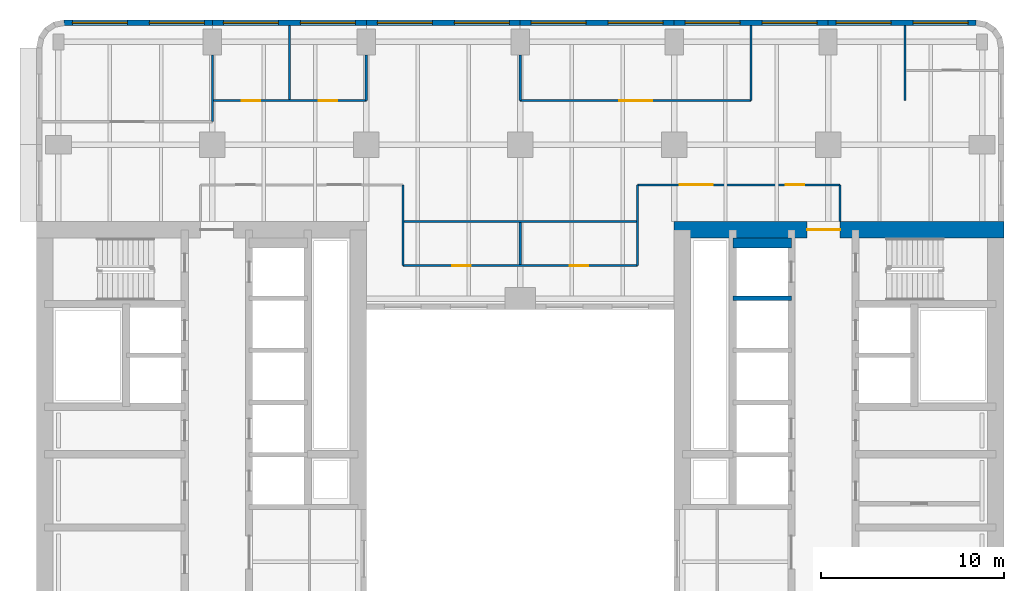
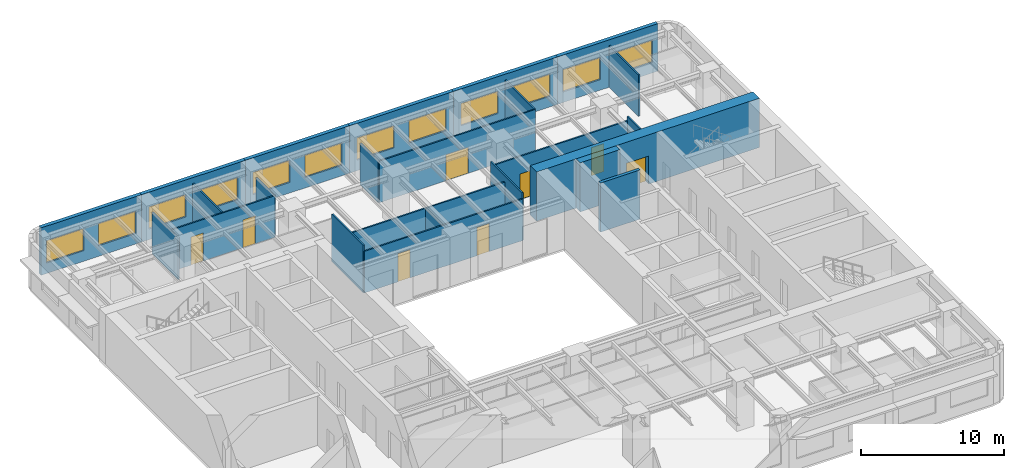
# One storey, part 7 of 11: 24 walls, 12 windows, 8 doors, 20 openings.
"""IFC4 building model written with IfcOpenShell, lengths in metres."""

from ifc_helpers import new_model, si_unit, direction, frame, frame_2d, origin, place, context, subcontext, project, spatial, rectangle, extrude, material, layer, layer_set, type_object, element, fill, save


model = new_model("IFC4")

# Units and contexts
model_context = context("Model", 3, precision=1e-05, world=origin(), true_north=direction((0.0, 1.0)))
body_context = subcontext(model_context, "Body", "Model", "MODEL_VIEW")
ifc_project = project(units=[si_unit("LENGTHUNIT", "METRE"), si_unit("AREAUNIT", "SQUARE_METRE"), si_unit("VOLUMEUNIT", "CUBIC_METRE"), si_unit("PLANEANGLEUNIT", "RADIAN"), si_unit("MASSUNIT", "GRAM", prefix="KILO")], contexts=[model_context])

# Site, building, storey
site_placement = place(None, origin())
site = spatial("IfcSite", under=ifc_project, at=site_placement, CompositionType="ELEMENT")
building_placement = place(site_placement, origin())
building = spatial("IfcBuilding", under=site, at=building_placement, Name="Claustro Exchange Tower", CompositionType="ELEMENT")
storey_placement = place(building_placement, frame((0.0, 0.0, 117.60009765625)))
storey = spatial("IfcBuildingStorey", under=building, at=storey_placement, Name="L26", CompositionType="ELEMENT", Elevation=117.60009765625)

# Wall, openings, doors
ifc_material_1 = material(Name="Laminated glass in aluminium frame", Category="aluminium")
ifc_layer_1 = layer(ifc_material_1, 0.1201171875)
ifc_layer_set_1 = layer_set([ifc_layer_1], Name="Laminated glass in aluminium frame")
wall_type_1 = type_object("IfcWallType", Name="P2 120 glazed partition", PredefinedType="PARTITIONING", material=ifc_layer_set_1)
wall_1_placement = place(storey_placement, frame((8.4580078125, 44.39990234375, 0.0), z_axis=(0.0, 0.0, 1.0), x_axis=(1.0, 0.0, 0.0)))
wall_1 = element("IfcWall", 1, at=wall_1_placement, inside=storey, type_object=wall_type_1, Name="Partition P2 L26", PredefinedType="PARTITIONING", context=body_context, shape_type="SweptSolid", body=[
    extrude(rectangle(XDim=8.342041015625, YDim=0.1201171875, at=frame_2d((4.1708984375, 0.0))), origin(), (0.0, 0.0, 1.0), 3.5498046875),
])
opening_1_placement = place(wall_1_placement, frame((1.5419921875, 0.0, 0.0)))
opening_1 = element("IfcOpeningElement", 2, at=opening_1_placement, cuts=wall_1, Name="Opening D7", PredefinedType="OPENING", context=body_context, shape_type="SweptSolid", body=[
    extrude(rectangle(XDim=1.0, YDim=2.39990234375, at=frame_2d((0.5, 1.199951171875))), frame((0.0, 0.070068359375, 0.0), z_axis=(0.0, -1.0, 0.0), x_axis=(1.0, 0.0, 0.0)), (0.0, 0.0, 1.0), 0.14013671875),
])
opening_2_placement = place(wall_1_placement, frame((5.741943359375, 0.0, 0.0)))
opening_2 = element("IfcOpeningElement", 3, at=opening_2_placement, cuts=wall_1, Name="Opening D7", PredefinedType="OPENING", context=body_context, shape_type="SweptSolid", body=[
    extrude(rectangle(XDim=1.0, YDim=2.39990234375, at=frame_2d((0.5, 1.199951171875))), frame((0.0, 0.070068359375, 0.0), z_axis=(0.0, -1.0, 0.0), x_axis=(1.0, 0.0, 0.0)), (0.0, 0.0, 1.0), 0.14013671875),
])
ifc_material_2 = material(Name="Glass door in aluminium frame", Category="aluminium")
door_type_1 = type_object("IfcDoorType", Name="D7 1000 x 2400 glazed door", OperationType="SINGLE_SWING_LEFT", PredefinedType="DOOR", material=ifc_material_2)
door_1_placement = place(opening_1_placement, origin())
door_1 = element("IfcDoor", 4, at=door_1_placement, inside=storey, type_object=door_type_1, Name="Door D7 L26", OperationType="SINGLE_SWING_RIGHT", OverallHeight=2.39990234375, OverallWidth=1.0, PredefinedType="DOOR", context=body_context, shape_type="SweptSolid", body=[
    extrude(rectangle(XDim=1.0, YDim=2.39990234375, at=frame_2d((0.5, 1.199951171875))), frame((0.0, 0.02490234375, 0.0), z_axis=(0.0, -1.0, 0.0), x_axis=(1.0, 0.0, 0.0)), (0.0, 0.0, 1.0), 0.050048828125),
])
fill(opening_1, door_1)
door_2_placement = place(opening_2_placement, origin())
door_2 = element("IfcDoor", 5, at=door_2_placement, inside=storey, type_object=door_type_1, Name="Door D7 L26", OperationType="SINGLE_SWING_LEFT", OverallHeight=2.39990234375, OverallWidth=1.0, PredefinedType="DOOR", context=body_context, shape_type="SweptSolid", body=[
    extrude(rectangle(XDim=1.0, YDim=2.39990234375, at=frame_2d((0.5, 1.199951171875))), frame((0.0, 0.02490234375, 0.0), z_axis=(0.0, -1.0, 0.0), x_axis=(1.0, 0.0, 0.0)), (0.0, 0.0, 1.0), 0.050048828125),
])
fill(opening_2, door_2)

# Walls
wall_2_placement = place(storey_placement, frame((8.39990234375, 43.25, 0.0), z_axis=(0.0, 0.0, 1.0), x_axis=(0.0, 1.0, 0.0)))
element("IfcWall", 6, at=wall_2_placement, inside=storey, type_object=wall_type_1, Name="Partition P2 L26", PredefinedType="PARTITIONING", context=body_context, shape_type="SweptSolid", body=[
    extrude(rectangle(XDim=3.65087890625, YDim=0.1201171875, at=frame_2d((1.825439453125, 0.0))), origin(), (0.0, 0.0, 1.0), 3.5498046875),
])
wall_3_placement = place(storey_placement, frame((12.60009765625, 44.4580078125, 0.0), z_axis=(0.0, 0.0, 1.0), x_axis=(0.0, 1.0, 0.0)))
element("IfcWall", 7, at=wall_3_placement, inside=storey, type_object=wall_type_1, Name="Partition P2 L26", PredefinedType="PARTITIONING", context=body_context, shape_type="SweptSolid", body=[
    extrude(rectangle(XDim=4.0439453125, YDim=0.1201171875, at=frame_2d((2.02197265625, 0.0))), origin(), (0.0, 0.0, 1.0), 3.559814453125),
])
wall_4_placement = place(storey_placement, frame((16.800048828125, 44.39990234375, 0.0), z_axis=(0.0, 0.0, 1.0), x_axis=(0.0, 1.0, 0.0)))
element("IfcWall", 8, at=wall_4_placement, inside=storey, type_object=wall_type_1, Name="Partition P2 L26", PredefinedType="PARTITIONING", context=body_context, shape_type="SweptSolid", body=[
    extrude(rectangle(XDim=2.5009765625, YDim=0.1201171875, at=frame_2d((1.25048828125, 0.0))), origin(), (0.0, 0.0, 1.0), 3.5498046875),
])

# Wall, opening, door
wall_5_placement = place(storey_placement, frame((25.199951171875, 44.39990234375, 0.0), z_axis=(0.0, 0.0, 1.0), x_axis=(1.0, 0.0, 0.0)))
wall_5 = element("IfcWall", 9, at=wall_5_placement, inside=storey, type_object=wall_type_1, Name="Partition P2 L26", PredefinedType="PARTITIONING", context=body_context, shape_type="SweptSolid", body=[
    extrude(rectangle(XDim=12.60009765625, YDim=0.1201171875, at=frame_2d((6.300048828125, 0.0))), origin(), (0.0, 0.0, 1.0), 3.5498046875),
])
opening_3_placement = place(wall_5_placement, frame((5.39990234375, 0.0, 0.0)))
opening_3 = element("IfcOpeningElement", 10, at=opening_3_placement, cuts=wall_5, Name="Opening D2", PredefinedType="OPENING", context=body_context, shape_type="SweptSolid", body=[
    extrude(rectangle(XDim=1.800048828125, YDim=2.199951171875, at=frame_2d((0.89990234375, 1.10009765625))), frame((0.0, 0.070068359375, 0.0), z_axis=(0.0, -1.0, 0.0), x_axis=(1.0, 0.0, 0.0)), (0.0, 0.0, 1.0), 0.14013671875),
])
ifc_material_3 = material(Name="Timber door, oak veneer", Category="wood")
door_type_2 = type_object("IfcDoorType", Name="D2 1800 x 2200 double door", OperationType="DOUBLE_DOOR_SINGLE_SWING", PredefinedType="DOOR", material=ifc_material_3)
door_3_placement = place(opening_3_placement, origin())
door_3 = element("IfcDoor", 11, at=door_3_placement, inside=storey, type_object=door_type_2, Name="Double door D2 L26", OperationType="DOUBLE_DOOR_SINGLE_SWING", OverallHeight=2.199951171875, OverallWidth=1.800048828125, PredefinedType="DOOR", context=body_context, shape_type="SweptSolid", body=[
    extrude(rectangle(XDim=1.800048828125, YDim=2.199951171875, at=frame_2d((0.89990234375, 1.10009765625))), frame((0.0, 0.02490234375, 0.0), z_axis=(0.0, -1.0, 0.0), x_axis=(1.0, 0.0, 0.0)), (0.0, 0.0, 1.0), 0.050048828125),
])
fill(opening_3, door_3)

# Walls
wall_6_placement = place(storey_placement, frame((25.199951171875, 44.39990234375, 0.0), z_axis=(0.0, 0.0, 1.0), x_axis=(0.0, 1.0, 0.0)))
element("IfcWall", 12, at=wall_6_placement, inside=storey, type_object=wall_type_1, Name="Partition P2 L26", PredefinedType="PARTITIONING", context=body_context, shape_type="SweptSolid", body=[
    extrude(rectangle(XDim=2.5009765625, YDim=0.1201171875, at=frame_2d((1.25048828125, 0.0))), origin(), (0.0, 0.0, 1.0), 3.5498046875),
])
for number, where, z_axis, x_axis, name in (
    (13, (37.800048828125, 44.39990234375, 0.0), (0.0, 0.0, 1.0), (0.0, 1.0, 0.0), "Partition P2 L26"),
    (14, (46.199951171875, 44.39990234375, 0.0), (0.0, 0.0, 1.0), (0.0, 1.0, 0.0), "Partition P2 L26"),
):
    element("IfcWall", number, at=place(storey_placement, frame(where, z_axis=z_axis, x_axis=x_axis)), inside=storey, type_object=wall_type_1, Name=name, PredefinedType="PARTITIONING", context=body_context, shape_type="SweptSolid", body=[
        extrude(rectangle(XDim=4.10205078125, YDim=0.1201171875, at=frame_2d((2.051025390625, 0.0))), origin(), (0.0, 0.0, 1.0), 3.559814453125),
    ])

# Wall, openings, doors
wall_7_placement = place(storey_placement, frame((31.60009765625, 39.800048828125, 0.0), z_axis=(0.0, 0.0, 1.0), x_axis=(1.0, 0.0, 0.0)))
wall_7 = element("IfcWall", 15, at=wall_7_placement, inside=storey, type_object=wall_type_1, Name="Partition P2 L26", PredefinedType="PARTITIONING", context=body_context, shape_type="SweptSolid", body=[
    extrude(rectangle(XDim=11.0498046875, YDim=0.1201171875, at=frame_2d((5.52490234375, 0.0))), origin(), (0.0, 0.0, 1.0), 3.68994140625),
])
opening_4_placement = place(wall_7_placement, frame((2.300048828125, 0.0, 0.0)))
opening_4 = element("IfcOpeningElement", 16, at=opening_4_placement, cuts=wall_7, Name="Opening D2", PredefinedType="OPENING", context=body_context, shape_type="SweptSolid", body=[
    extrude(rectangle(XDim=1.800048828125, YDim=2.199951171875, at=frame_2d((0.89990234375, 1.10009765625))), frame((0.0, 0.070068359375, 0.0), z_axis=(0.0, -1.0, 0.0), x_axis=(1.0, 0.0, 0.0)), (0.0, 0.0, 1.0), 0.14013671875),
])
opening_5_placement = place(wall_7_placement, frame((8.10009765625, 0.0, 0.0)))
opening_5 = element("IfcOpeningElement", 17, at=opening_5_placement, cuts=wall_7, Name="Opening D7", PredefinedType="OPENING", context=body_context, shape_type="SweptSolid", body=[
    extrude(rectangle(XDim=1.0, YDim=2.39990234375, at=frame_2d((0.5, 1.199951171875))), frame((0.0, 0.070068359375, 0.0), z_axis=(0.0, -1.0, 0.0), x_axis=(1.0, 0.0, 0.0)), (0.0, 0.0, 1.0), 0.14013671875),
])
door_4_placement = place(opening_4_placement, origin())
door_4 = element("IfcDoor", 18, at=door_4_placement, inside=storey, type_object=door_type_2, Name="Double door D2 L26", OperationType="DOUBLE_DOOR_SINGLE_SWING", OverallHeight=2.199951171875, OverallWidth=1.800048828125, PredefinedType="DOOR", context=body_context, shape_type="SweptSolid", body=[
    extrude(rectangle(XDim=1.800048828125, YDim=2.199951171875, at=frame_2d((0.89990234375, 1.10009765625))), frame((0.0, 0.02490234375, 0.0), z_axis=(0.0, -1.0, 0.0), x_axis=(1.0, 0.0, 0.0)), (0.0, 0.0, 1.0), 0.050048828125),
])
fill(opening_4, door_4)
door_5_placement = place(opening_5_placement, origin())
door_5 = element("IfcDoor", 19, at=door_5_placement, inside=storey, type_object=door_type_1, Name="Door D7 L26", OperationType="SINGLE_SWING_RIGHT", OverallHeight=2.39990234375, OverallWidth=1.0, PredefinedType="DOOR", context=body_context, shape_type="SweptSolid", body=[
    extrude(rectangle(XDim=1.0, YDim=2.39990234375, at=frame_2d((0.5, 1.199951171875))), frame((0.0, 0.02490234375, 0.0), z_axis=(0.0, -1.0, 0.0), x_axis=(1.0, 0.0, 0.0)), (0.0, 0.0, 1.0), 0.050048828125),
])
fill(opening_5, door_5)

# Walls
wall_8_placement = place(storey_placement, frame((42.64990234375, 37.800048828125, 0.0), z_axis=(0.0, 0.0, 1.0), x_axis=(0.0, 1.0, 0.0)))
element("IfcWall", 20, at=wall_8_placement, inside=storey, type_object=wall_type_1, Name="Partition P2 L26", PredefinedType="PARTITIONING", context=body_context, shape_type="SweptSolid", body=[
    extrude(rectangle(XDim=2.0, YDim=0.1201171875, at=frame_2d((1.0, 0.0))), origin(), (0.0, 0.0, 1.0), 4.0498046875),
])
for number, where, z_axis, x_axis, name in (
    (21, (18.800048828125, 35.39990234375, 0.0), (0.0, 0.0, 1.0), (0.0, 1.0, 0.0), "Partition P2 L26"),
    (22, (31.60009765625, 35.39990234375, 0.0), (0.0, 0.0, 1.0), (0.0, 1.0, 0.0), "Partition P2 L26"),
):
    element("IfcWall", number, at=place(storey_placement, frame(where, z_axis=z_axis, x_axis=x_axis)), inside=storey, type_object=wall_type_1, Name=name, PredefinedType="PARTITIONING", context=body_context, shape_type="SweptSolid", body=[
        extrude(rectangle(XDim=4.400146484375, YDim=0.1201171875, at=frame_2d((2.2001953125, 0.0))), origin(), (0.0, 0.0, 1.0), 4.0498046875),
    ])
wall_9_placement = place(storey_placement, frame((25.199951171875, 35.4580078125, 0.0), z_axis=(0.0, 0.0, 1.0), x_axis=(0.0, 1.0, 0.0)))
element("IfcWall", 23, at=wall_9_placement, inside=storey, type_object=wall_type_1, Name="Partition P2 L26", PredefinedType="PARTITIONING", context=body_context, shape_type="SweptSolid", body=[
    extrude(rectangle(XDim=2.283935546875, YDim=0.1201171875, at=frame_2d((1.14208984375, 0.0))), origin(), (0.0, 0.0, 1.0), 3.5498046875),
])

# Wall, openings, doors
wall_10_placement = place(storey_placement, frame((18.800048828125, 35.39990234375, 0.0), z_axis=(0.0, 0.0, 1.0), x_axis=(1.0, 0.0, 0.0)))
wall_10 = element("IfcWall", 24, at=wall_10_placement, inside=storey, type_object=wall_type_1, Name="Partition P2 L26", PredefinedType="PARTITIONING", context=body_context, shape_type="SweptSolid", body=[
    extrude(rectangle(XDim=12.800048828125, YDim=0.1201171875, at=frame_2d((6.39990234375, 0.0))), origin(), (0.0, 0.0, 1.0), 3.5498046875),
])
opening_6_placement = place(wall_10_placement, frame((2.699951171875, 0.0, 0.0)))
opening_6 = element("IfcOpeningElement", 25, at=opening_6_placement, cuts=wall_10, Name="Opening D7", PredefinedType="OPENING", context=body_context, shape_type="SweptSolid", body=[
    extrude(rectangle(XDim=1.0, YDim=2.39990234375, at=frame_2d((0.5, 1.199951171875))), frame((0.0, 0.070068359375, 0.0), z_axis=(0.0, -1.0, 0.0), x_axis=(1.0, 0.0, 0.0)), (0.0, 0.0, 1.0), 0.14013671875),
])
opening_7_placement = place(wall_10_placement, frame((9.10009765625, 0.0, 0.0)))
opening_7 = element("IfcOpeningElement", 26, at=opening_7_placement, cuts=wall_10, Name="Opening D7", PredefinedType="OPENING", context=body_context, shape_type="SweptSolid", body=[
    extrude(rectangle(XDim=1.0, YDim=2.39990234375, at=frame_2d((0.5, 1.199951171875))), frame((0.0, 0.070068359375, 0.0), z_axis=(0.0, -1.0, 0.0), x_axis=(1.0, 0.0, 0.0)), (0.0, 0.0, 1.0), 0.14013671875),
])
door_6_placement = place(opening_6_placement, origin())
door_6 = element("IfcDoor", 27, at=door_6_placement, inside=storey, type_object=door_type_1, Name="Door D7 L26", OperationType="SINGLE_SWING_RIGHT", OverallHeight=2.39990234375, OverallWidth=1.0, PredefinedType="DOOR", context=body_context, shape_type="SweptSolid", body=[
    extrude(rectangle(XDim=1.0, YDim=2.39990234375, at=frame_2d((0.5, 1.199951171875))), frame((0.0, 0.02490234375, 0.0), z_axis=(0.0, -1.0, 0.0), x_axis=(1.0, 0.0, 0.0)), (0.0, 0.0, 1.0), 0.050048828125),
])
fill(opening_6, door_6)
door_7_placement = place(opening_7_placement, origin())
door_7 = element("IfcDoor", 28, at=door_7_placement, inside=storey, type_object=door_type_1, Name="Door D7 L26", OperationType="SINGLE_SWING_LEFT", OverallHeight=2.39990234375, OverallWidth=1.0, PredefinedType="DOOR", context=body_context, shape_type="SweptSolid", body=[
    extrude(rectangle(XDim=1.0, YDim=2.39990234375, at=frame_2d((0.5, 1.199951171875))), frame((0.0, 0.02490234375, 0.0), z_axis=(0.0, -1.0, 0.0), x_axis=(1.0, 0.0, 0.0)), (0.0, 0.0, 1.0), 0.050048828125),
])
fill(opening_7, door_7)

# Wall
wall_11_placement = place(storey_placement, frame((18.85791015625, 37.800048828125, 0.0), z_axis=(0.0, 0.0, 1.0), x_axis=(1.0, 0.0, 0.0)))
element("IfcWall", 29, at=wall_11_placement, inside=storey, type_object=wall_type_1, Name="Partition P2 L26", PredefinedType="PARTITIONING", context=body_context, shape_type="SweptSolid", body=[
    extrude(rectangle(XDim=12.68408203125, YDim=0.1201171875, at=frame_2d((6.342041015625, 0.0))), origin(), (0.0, 0.0, 1.0), 3.5498046875),
])

# Wall, openings, windows
ifc_material_4 = material(Name="Concrete HA-40 (C40/50), precast, white cement, acid-etched", Category="concrete")
ifc_layer_2 = layer(ifc_material_4, 0.300048828125)
ifc_layer_set_2 = layer_set([ifc_layer_2], Name="Concrete HA-40 (C40/50), precast, white cement, acid-etched")
wall_type_2 = type_object("IfcWallType", Name="PC1 300 precast concrete pier panel", PredefinedType="SOLIDWALL", material=ifc_layer_set_2)
wall_12_placement = place(storey_placement, frame((0.314697265625, 48.64990234375, 0.0), z_axis=(0.0, 0.0, 1.0), x_axis=(1.0, 0.0, 0.0)))
wall_12 = element("IfcWall", 30, at=wall_12_placement, inside=storey, type_object=wall_type_2, Name="Precast pier panel PC1 L26", PredefinedType="SOLIDWALL", context=body_context, shape_type="SweptSolid", body=[
    extrude(rectangle(XDim=8.085205078125, YDim=0.300048828125, at=frame_2d((4.04248046875, 0.0))), origin(), (0.0, 0.0, 1.0), 4.0498046875),
])
opening_8_placement = place(wall_12_placement, frame((0.442626953125, 0.0, 0.89990234375)))
opening_8 = element("IfcOpeningElement", 31, at=opening_8_placement, cuts=wall_12, Name="Opening W1", PredefinedType="OPENING", context=body_context, shape_type="SweptSolid", body=[
    extrude(rectangle(XDim=3.0, YDim=1.89990234375, at=frame_2d((1.5, 0.949951171875))), frame((0.0, 0.159912109375, 0.0), z_axis=(0.0, -1.0, 0.0), x_axis=(1.0, 0.0, 0.0)), (0.0, 0.0, 1.0), 0.320068359375),
])
opening_9_placement = place(wall_12_placement, frame((4.642578125, 0.0, 0.89990234375)))
opening_9 = element("IfcOpeningElement", 32, at=opening_9_placement, cuts=wall_12, Name="Opening W1", PredefinedType="OPENING", context=body_context, shape_type="SweptSolid", body=[
    extrude(rectangle(XDim=3.0, YDim=1.89990234375, at=frame_2d((1.5, 0.949951171875))), frame((0.0, 0.159912109375, 0.0), z_axis=(0.0, -1.0, 0.0), x_axis=(1.0, 0.0, 0.0)), (0.0, 0.0, 1.0), 0.320068359375),
])
ifc_material_5 = material(Name="Aluminium frame, clear double glazing", Category="aluminium")
window_type = type_object("IfcWindowType", Name="W1 3000 x 1900 window", PartitioningType="SINGLE_PANEL", PredefinedType="WINDOW", material=ifc_material_5)
window_1_placement = place(opening_8_placement, origin())
window_1 = element("IfcWindow", 33, at=window_1_placement, inside=storey, type_object=window_type, Name="Window W1 L26", OverallHeight=1.89990234375, OverallWidth=3.0, PartitioningType="SINGLE_PANEL", PredefinedType="WINDOW", context=body_context, shape_type="SweptSolid", body=[
    extrude(rectangle(XDim=3.0, YDim=1.89990234375, at=frame_2d((1.5, 0.949951171875))), frame((0.0, 0.030029296875, 0.0), z_axis=(0.0, -1.0, 0.0), x_axis=(1.0, 0.0, 0.0)), (0.0, 0.0, 1.0), 0.06005859375),
])
fill(opening_8, window_1)
window_2_placement = place(opening_9_placement, origin())
window_2 = element("IfcWindow", 34, at=window_2_placement, inside=storey, type_object=window_type, Name="Window W1 L26", OverallHeight=1.89990234375, OverallWidth=3.0, PartitioningType="SINGLE_PANEL", PredefinedType="WINDOW", context=body_context, shape_type="SweptSolid", body=[
    extrude(rectangle(XDim=3.0, YDim=1.89990234375, at=frame_2d((1.5, 0.949951171875))), frame((0.0, 0.030029296875, 0.0), z_axis=(0.0, -1.0, 0.0), x_axis=(1.0, 0.0, 0.0)), (0.0, 0.0, 1.0), 0.06005859375),
])
fill(opening_9, window_2)

wall_13_placement = place(storey_placement, frame((8.39990234375, 48.64990234375, 0.0), z_axis=(0.0, 0.0, 1.0), x_axis=(1.0, 0.0, 0.0)))
wall_13 = element("IfcWall", 35, at=wall_13_placement, inside=storey, type_object=wall_type_2, Name="Precast pier panel PC1 L26", PredefinedType="SOLIDWALL", context=body_context, shape_type="SweptSolid", body=[
    extrude(rectangle(XDim=8.400146484375, YDim=0.300048828125, at=frame_2d((4.2001953125, 0.0))), origin(), (0.0, 0.0, 1.0), 4.0498046875),
])
opening_10_placement = place(wall_13_placement, frame((0.60009765625, 0.0, 0.89990234375)))
opening_10 = element("IfcOpeningElement", 36, at=opening_10_placement, cuts=wall_13, Name="Opening W1", PredefinedType="OPENING", context=body_context, shape_type="SweptSolid", body=[
    extrude(rectangle(XDim=3.0, YDim=1.89990234375, at=frame_2d((1.5, 0.949951171875))), frame((0.0, 0.159912109375, 0.0), z_axis=(0.0, -1.0, 0.0), x_axis=(1.0, 0.0, 0.0)), (0.0, 0.0, 1.0), 0.320068359375),
])
opening_11_placement = place(wall_13_placement, frame((4.800048828125, 0.0, 0.89990234375)))
opening_11 = element("IfcOpeningElement", 37, at=opening_11_placement, cuts=wall_13, Name="Opening W1", PredefinedType="OPENING", context=body_context, shape_type="SweptSolid", body=[
    extrude(rectangle(XDim=3.0, YDim=1.89990234375, at=frame_2d((1.5, 0.949951171875))), frame((0.0, 0.159912109375, 0.0), z_axis=(0.0, -1.0, 0.0), x_axis=(1.0, 0.0, 0.0)), (0.0, 0.0, 1.0), 0.320068359375),
])
window_3_placement = place(opening_10_placement, origin())
window_3 = element("IfcWindow", 38, at=window_3_placement, inside=storey, type_object=window_type, Name="Window W1 L26", OverallHeight=1.89990234375, OverallWidth=3.0, PartitioningType="SINGLE_PANEL", PredefinedType="WINDOW", context=body_context, shape_type="SweptSolid", body=[
    extrude(rectangle(XDim=3.0, YDim=1.89990234375, at=frame_2d((1.5, 0.949951171875))), frame((0.0, 0.030029296875, 0.0), z_axis=(0.0, -1.0, 0.0), x_axis=(1.0, 0.0, 0.0)), (0.0, 0.0, 1.0), 0.06005859375),
])
fill(opening_10, window_3)
window_4_placement = place(opening_11_placement, origin())
window_4 = element("IfcWindow", 39, at=window_4_placement, inside=storey, type_object=window_type, Name="Window W1 L26", OverallHeight=1.89990234375, OverallWidth=3.0, PartitioningType="SINGLE_PANEL", PredefinedType="WINDOW", context=body_context, shape_type="SweptSolid", body=[
    extrude(rectangle(XDim=3.0, YDim=1.89990234375, at=frame_2d((1.5, 0.949951171875))), frame((0.0, 0.030029296875, 0.0), z_axis=(0.0, -1.0, 0.0), x_axis=(1.0, 0.0, 0.0)), (0.0, 0.0, 1.0), 0.06005859375),
])
fill(opening_11, window_4)

wall_14_placement = place(storey_placement, frame((16.800048828125, 48.64990234375, 0.0), z_axis=(0.0, 0.0, 1.0), x_axis=(1.0, 0.0, 0.0)))
wall_14 = element("IfcWall", 40, at=wall_14_placement, inside=storey, type_object=wall_type_2, Name="Precast pier panel PC1 L26", PredefinedType="SOLIDWALL", context=body_context, shape_type="SweptSolid", body=[
    extrude(rectangle(XDim=8.39990234375, YDim=0.300048828125, at=frame_2d((4.199951171875, 0.0))), origin(), (0.0, 0.0, 1.0), 4.0498046875),
])
opening_12_placement = place(wall_14_placement, frame((0.60009765625, 0.0, 0.89990234375)))
opening_12 = element("IfcOpeningElement", 41, at=opening_12_placement, cuts=wall_14, Name="Opening W1", PredefinedType="OPENING", context=body_context, shape_type="SweptSolid", body=[
    extrude(rectangle(XDim=3.0, YDim=1.89990234375, at=frame_2d((1.5, 0.949951171875))), frame((0.0, 0.159912109375, 0.0), z_axis=(0.0, -1.0, 0.0), x_axis=(1.0, 0.0, 0.0)), (0.0, 0.0, 1.0), 0.320068359375),
])
opening_13_placement = place(wall_14_placement, frame((4.800048828125, 0.0, 0.89990234375)))
opening_13 = element("IfcOpeningElement", 42, at=opening_13_placement, cuts=wall_14, Name="Opening W1", PredefinedType="OPENING", context=body_context, shape_type="SweptSolid", body=[
    extrude(rectangle(XDim=3.0, YDim=1.89990234375, at=frame_2d((1.5, 0.949951171875))), frame((0.0, 0.159912109375, 0.0), z_axis=(0.0, -1.0, 0.0), x_axis=(1.0, 0.0, 0.0)), (0.0, 0.0, 1.0), 0.320068359375),
])
window_5_placement = place(opening_12_placement, origin())
window_5 = element("IfcWindow", 43, at=window_5_placement, inside=storey, type_object=window_type, Name="Window W1 L26", OverallHeight=1.89990234375, OverallWidth=3.0, PartitioningType="SINGLE_PANEL", PredefinedType="WINDOW", context=body_context, shape_type="SweptSolid", body=[
    extrude(rectangle(XDim=3.0, YDim=1.89990234375, at=frame_2d((1.5, 0.949951171875))), frame((0.0, 0.030029296875, 0.0), z_axis=(0.0, -1.0, 0.0), x_axis=(1.0, 0.0, 0.0)), (0.0, 0.0, 1.0), 0.06005859375),
])
fill(opening_12, window_5)
window_6_placement = place(opening_13_placement, origin())
window_6 = element("IfcWindow", 44, at=window_6_placement, inside=storey, type_object=window_type, Name="Window W1 L26", OverallHeight=1.89990234375, OverallWidth=3.0, PartitioningType="SINGLE_PANEL", PredefinedType="WINDOW", context=body_context, shape_type="SweptSolid", body=[
    extrude(rectangle(XDim=3.0, YDim=1.89990234375, at=frame_2d((1.5, 0.949951171875))), frame((0.0, 0.030029296875, 0.0), z_axis=(0.0, -1.0, 0.0), x_axis=(1.0, 0.0, 0.0)), (0.0, 0.0, 1.0), 0.06005859375),
])
fill(opening_13, window_6)

wall_15_placement = place(storey_placement, frame((25.199951171875, 48.64990234375, 0.0), z_axis=(0.0, 0.0, 1.0), x_axis=(1.0, 0.0, 0.0)))
wall_15 = element("IfcWall", 45, at=wall_15_placement, inside=storey, type_object=wall_type_2, Name="Precast pier panel PC1 L26", PredefinedType="SOLIDWALL", context=body_context, shape_type="SweptSolid", body=[
    extrude(rectangle(XDim=8.400146484375, YDim=0.300048828125, at=frame_2d((4.2001953125, 0.0))), origin(), (0.0, 0.0, 1.0), 4.0498046875),
])
opening_14_placement = place(wall_15_placement, frame((0.60009765625, 0.0, 0.89990234375)))
opening_14 = element("IfcOpeningElement", 46, at=opening_14_placement, cuts=wall_15, Name="Opening W1", PredefinedType="OPENING", context=body_context, shape_type="SweptSolid", body=[
    extrude(rectangle(XDim=3.0, YDim=1.89990234375, at=frame_2d((1.5, 0.949951171875))), frame((0.0, 0.159912109375, 0.0), z_axis=(0.0, -1.0, 0.0), x_axis=(1.0, 0.0, 0.0)), (0.0, 0.0, 1.0), 0.320068359375),
])
opening_15_placement = place(wall_15_placement, frame((4.800048828125, 0.0, 0.89990234375)))
opening_15 = element("IfcOpeningElement", 47, at=opening_15_placement, cuts=wall_15, Name="Opening W1", PredefinedType="OPENING", context=body_context, shape_type="SweptSolid", body=[
    extrude(rectangle(XDim=3.0, YDim=1.89990234375, at=frame_2d((1.5, 0.949951171875))), frame((0.0, 0.159912109375, 0.0), z_axis=(0.0, -1.0, 0.0), x_axis=(1.0, 0.0, 0.0)), (0.0, 0.0, 1.0), 0.320068359375),
])
window_7_placement = place(opening_14_placement, origin())
window_7 = element("IfcWindow", 48, at=window_7_placement, inside=storey, type_object=window_type, Name="Window W1 L26", OverallHeight=1.89990234375, OverallWidth=3.0, PartitioningType="SINGLE_PANEL", PredefinedType="WINDOW", context=body_context, shape_type="SweptSolid", body=[
    extrude(rectangle(XDim=3.0, YDim=1.89990234375, at=frame_2d((1.5, 0.949951171875))), frame((0.0, 0.030029296875, 0.0), z_axis=(0.0, -1.0, 0.0), x_axis=(1.0, 0.0, 0.0)), (0.0, 0.0, 1.0), 0.06005859375),
])
fill(opening_14, window_7)
window_8_placement = place(opening_15_placement, origin())
window_8 = element("IfcWindow", 49, at=window_8_placement, inside=storey, type_object=window_type, Name="Window W1 L26", OverallHeight=1.89990234375, OverallWidth=3.0, PartitioningType="SINGLE_PANEL", PredefinedType="WINDOW", context=body_context, shape_type="SweptSolid", body=[
    extrude(rectangle(XDim=3.0, YDim=1.89990234375, at=frame_2d((1.5, 0.949951171875))), frame((0.0, 0.030029296875, 0.0), z_axis=(0.0, -1.0, 0.0), x_axis=(1.0, 0.0, 0.0)), (0.0, 0.0, 1.0), 0.06005859375),
])
fill(opening_15, window_8)

wall_16_placement = place(storey_placement, frame((33.60009765625, 48.64990234375, 0.0), z_axis=(0.0, 0.0, 1.0), x_axis=(1.0, 0.0, 0.0)))
wall_16 = element("IfcWall", 50, at=wall_16_placement, inside=storey, type_object=wall_type_2, Name="Precast pier panel PC1 L26", PredefinedType="SOLIDWALL", context=body_context, shape_type="SweptSolid", body=[
    extrude(rectangle(XDim=8.39990234375, YDim=0.300048828125, at=frame_2d((4.199951171875, 0.0))), origin(), (0.0, 0.0, 1.0), 4.0498046875),
])
opening_16_placement = place(wall_16_placement, frame((0.60009765625, 0.0, 0.89990234375)))
opening_16 = element("IfcOpeningElement", 51, at=opening_16_placement, cuts=wall_16, Name="Opening W1", PredefinedType="OPENING", context=body_context, shape_type="SweptSolid", body=[
    extrude(rectangle(XDim=3.0, YDim=1.89990234375, at=frame_2d((1.5, 0.949951171875))), frame((0.0, 0.159912109375, 0.0), z_axis=(0.0, -1.0, 0.0), x_axis=(1.0, 0.0, 0.0)), (0.0, 0.0, 1.0), 0.320068359375),
])
opening_17_placement = place(wall_16_placement, frame((4.800048828125, 0.0, 0.89990234375)))
opening_17 = element("IfcOpeningElement", 52, at=opening_17_placement, cuts=wall_16, Name="Opening W1", PredefinedType="OPENING", context=body_context, shape_type="SweptSolid", body=[
    extrude(rectangle(XDim=3.0, YDim=1.89990234375, at=frame_2d((1.5, 0.949951171875))), frame((0.0, 0.159912109375, 0.0), z_axis=(0.0, -1.0, 0.0), x_axis=(1.0, 0.0, 0.0)), (0.0, 0.0, 1.0), 0.320068359375),
])
window_9_placement = place(opening_16_placement, origin())
window_9 = element("IfcWindow", 53, at=window_9_placement, inside=storey, type_object=window_type, Name="Window W1 L26", OverallHeight=1.89990234375, OverallWidth=3.0, PartitioningType="SINGLE_PANEL", PredefinedType="WINDOW", context=body_context, shape_type="SweptSolid", body=[
    extrude(rectangle(XDim=3.0, YDim=1.89990234375, at=frame_2d((1.5, 0.949951171875))), frame((0.0, 0.030029296875, 0.0), z_axis=(0.0, -1.0, 0.0), x_axis=(1.0, 0.0, 0.0)), (0.0, 0.0, 1.0), 0.06005859375),
])
fill(opening_16, window_9)
window_10_placement = place(opening_17_placement, origin())
window_10 = element("IfcWindow", 54, at=window_10_placement, inside=storey, type_object=window_type, Name="Window W1 L26", OverallHeight=1.89990234375, OverallWidth=3.0, PartitioningType="SINGLE_PANEL", PredefinedType="WINDOW", context=body_context, shape_type="SweptSolid", body=[
    extrude(rectangle(XDim=3.0, YDim=1.89990234375, at=frame_2d((1.5, 0.949951171875))), frame((0.0, 0.030029296875, 0.0), z_axis=(0.0, -1.0, 0.0), x_axis=(1.0, 0.0, 0.0)), (0.0, 0.0, 1.0), 0.06005859375),
])
fill(opening_17, window_10)

wall_17_placement = place(storey_placement, frame((42.0, 48.64990234375, 0.0), z_axis=(0.0, 0.0, 1.0), x_axis=(1.0, 0.0, 0.0)))
wall_17 = element("IfcWall", 55, at=wall_17_placement, inside=storey, type_object=wall_type_2, Name="Precast pier panel PC1 L26", PredefinedType="SOLIDWALL", context=body_context, shape_type="SweptSolid", body=[
    extrude(rectangle(XDim=8.085205078125, YDim=0.300048828125, at=frame_2d((4.04248046875, 0.0))), origin(), (0.0, 0.0, 1.0), 4.0498046875),
])
opening_18_placement = place(wall_17_placement, frame((0.442626953125, 0.0, 0.89990234375)))
opening_18 = element("IfcOpeningElement", 56, at=opening_18_placement, cuts=wall_17, Name="Opening W1", PredefinedType="OPENING", context=body_context, shape_type="SweptSolid", body=[
    extrude(rectangle(XDim=3.0, YDim=1.89990234375, at=frame_2d((1.5, 0.949951171875))), frame((0.0, 0.159912109375, 0.0), z_axis=(0.0, -1.0, 0.0), x_axis=(1.0, 0.0, 0.0)), (0.0, 0.0, 1.0), 0.320068359375),
])
opening_19_placement = place(wall_17_placement, frame((4.642578125, 0.0, 0.89990234375)))
opening_19 = element("IfcOpeningElement", 57, at=opening_19_placement, cuts=wall_17, Name="Opening W1", PredefinedType="OPENING", context=body_context, shape_type="SweptSolid", body=[
    extrude(rectangle(XDim=3.0, YDim=1.89990234375, at=frame_2d((1.5, 0.949951171875))), frame((0.0, 0.159912109375, 0.0), z_axis=(0.0, -1.0, 0.0), x_axis=(1.0, 0.0, 0.0)), (0.0, 0.0, 1.0), 0.320068359375),
])
window_11_placement = place(opening_18_placement, origin())
window_11 = element("IfcWindow", 58, at=window_11_placement, inside=storey, type_object=window_type, Name="Window W1 L26", OverallHeight=1.89990234375, OverallWidth=3.0, PartitioningType="SINGLE_PANEL", PredefinedType="WINDOW", context=body_context, shape_type="SweptSolid", body=[
    extrude(rectangle(XDim=3.0, YDim=1.89990234375, at=frame_2d((1.5, 0.949951171875))), frame((0.0, 0.030029296875, 0.0), z_axis=(0.0, -1.0, 0.0), x_axis=(1.0, 0.0, 0.0)), (0.0, 0.0, 1.0), 0.06005859375),
])
fill(opening_18, window_11)
window_12_placement = place(opening_19_placement, origin())
window_12 = element("IfcWindow", 59, at=window_12_placement, inside=storey, type_object=window_type, Name="Window W1 L26", OverallHeight=1.89990234375, OverallWidth=3.0, PartitioningType="SINGLE_PANEL", PredefinedType="WINDOW", context=body_context, shape_type="SweptSolid", body=[
    extrude(rectangle(XDim=3.0, YDim=1.89990234375, at=frame_2d((1.5, 0.949951171875))), frame((0.0, 0.030029296875, 0.0), z_axis=(0.0, -1.0, 0.0), x_axis=(1.0, 0.0, 0.0)), (0.0, 0.0, 1.0), 0.06005859375),
])
fill(opening_19, window_12)

# Wall, opening, door
ifc_material_6 = material(Name="Concrete HA-70 (C70/85)", Category="concrete")
ifc_layer_3 = layer(ifc_material_6, 0.89990234375)
ifc_layer_set_3 = layer_set([ifc_layer_3], Name="Concrete HA-70 (C70/85)")
wall_type_3 = type_object("IfcWallType", Name="SW1 900 core shear wall", PredefinedType="SHEAR", material=ifc_layer_set_3)
wall_18_placement = place(storey_placement, frame((33.60009765625, 37.35009765625, 0.0), z_axis=(0.0, 0.0, 1.0), x_axis=(1.0, 0.0, 0.0)))
wall_18 = element("IfcWall", 60, at=wall_18_placement, inside=storey, type_object=wall_type_3, Name="Core wall SW1 E core N face L26", PredefinedType="SHEAR", context=body_context, shape_type="SweptSolid", body=[
    extrude(rectangle(XDim=18.0, YDim=0.89990234375, at=frame_2d((9.0, 0.0))), origin(), (0.0, 0.0, 1.0), 4.199951171875),
])
opening_20_placement = place(wall_18_placement, frame((7.25, 0.0, 0.0)))
opening_20 = element("IfcOpeningElement", 61, at=opening_20_placement, cuts=wall_18, Name="Opening D3", PredefinedType="OPENING", context=body_context, shape_type="SweptSolid", body=[
    extrude(rectangle(XDim=1.800048828125, YDim=2.39990234375, at=frame_2d((0.89990234375, 1.199951171875))), frame((0.0, 0.4599609375, 0.0), z_axis=(0.0, -1.0, 0.0), x_axis=(1.0, 0.0, 0.0)), (0.0, 0.0, 1.0), 0.919921875),
])
ifc_material_7 = material(Name="Steel fire door, painted", Category="steel")
door_type_3 = type_object("IfcDoorType", Name="D3 1800 x 2400 fire-rated lobby double door", OperationType="DOUBLE_DOOR_SINGLE_SWING", PredefinedType="DOOR", material=ifc_material_7)
door_8_placement = place(opening_20_placement, frame((1.800048828125, 0.0, 0.0), z_axis=(0.0, 0.0, 1.0), x_axis=(-1.0, 0.0, 0.0)))
door_8 = element("IfcDoor", 62, at=door_8_placement, inside=storey, type_object=door_type_3, Name="Lift lobby door D3 L26", OperationType="DOUBLE_DOOR_SINGLE_SWING", OverallHeight=2.39990234375, OverallWidth=1.800048828125, PredefinedType="DOOR", context=body_context, shape_type="SweptSolid", body=[
    extrude(rectangle(XDim=1.800048828125, YDim=2.39990234375, at=frame_2d((0.89990234375, 1.199951171875))), frame((0.0, 0.02490234375, 0.0), z_axis=(0.0, -1.0, 0.0), x_axis=(1.0, 0.0, 0.0)), (0.0, 0.0, 1.0), 0.050048828125),
])
fill(opening_20, door_8)

# Walls
ifc_material_8 = material(Name="Concrete HA-50 (C50/60)", Category="concrete")
ifc_layer_4 = layer(ifc_material_8, 0.25)
ifc_layer_set_4 = layer_set([ifc_layer_4], Name="Concrete HA-50 (C50/60)")
wall_type_4 = type_object("IfcWallType", Name="SW5 250 lift shaft divider wall", PredefinedType="SHEAR", material=ifc_layer_set_4)
wall_19_placement = place(storey_placement, frame((40.0, 33.625, 0.0), z_axis=(0.0, 0.0, 1.0), x_axis=(-1.0, 0.0, 0.0)))
element("IfcWall", 63, at=wall_19_placement, inside=storey, type_object=wall_type_4, Name="Lift shaft wall E core L26", PredefinedType="SHEAR", context=body_context, shape_type="SweptSolid", body=[
    extrude(rectangle(XDim=3.199951171875, YDim=0.25, at=frame_2d((1.60009765625, 0.0))), origin(), (0.0, 0.0, 1.0), 4.199951171875),
])
ifc_material_9 = material(Name="Concrete HA-50 (C50/60)", Category="concrete")
ifc_layer_5 = layer(ifc_material_9, 0.550048828125)
ifc_layer_set_5 = layer_set([ifc_layer_5], Name="Concrete HA-50 (C50/60)")
wall_type_5 = type_object("IfcWallType", Name="SW6 550 lift shaft end wall", PredefinedType="SHEAR", material=ifc_layer_set_5)
wall_20_placement = place(storey_placement, frame((40.0, 36.625, 0.0), z_axis=(0.0, 0.0, 1.0), x_axis=(-1.0, 0.0, 0.0)))
element("IfcWall", 64, at=wall_20_placement, inside=storey, type_object=wall_type_5, Name="Lift shaft wall E core L26", PredefinedType="SHEAR", context=body_context, shape_type="SweptSolid", body=[
    extrude(rectangle(XDim=3.199951171875, YDim=0.550048828125, at=frame_2d((1.60009765625, 0.0))), origin(), (0.0, 0.0, 1.0), 4.199951171875),
])

save(model, "model.ifc")
